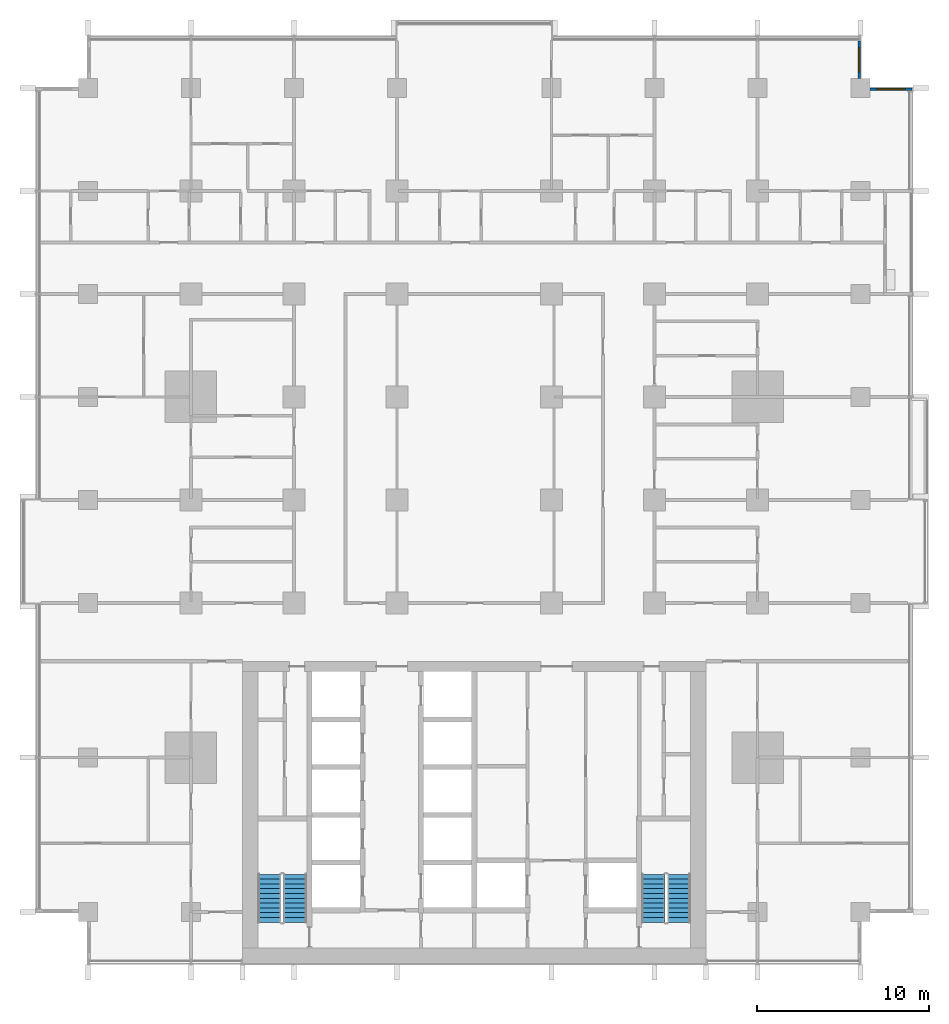
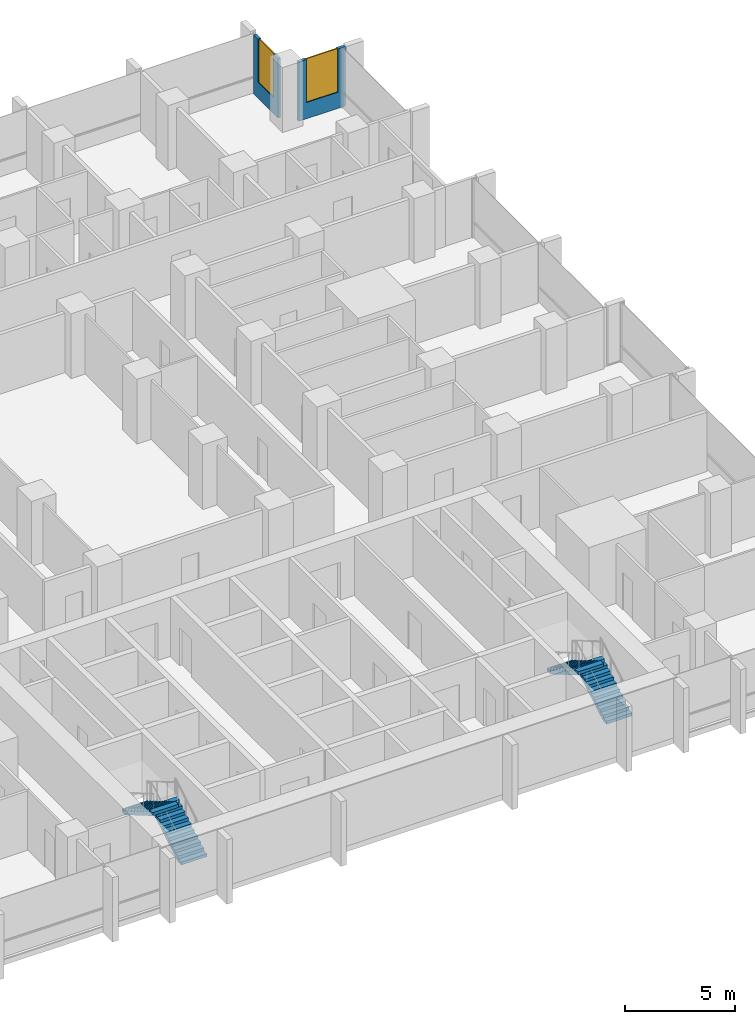
# One storey, part 13 of 18: 4 stair flights, 2 walls, 2 windows, 2 openings, 2 elements without a shape of their own.
"""IFC4 building model written with IfcOpenShell, lengths in metres."""

from ifc_helpers import new_model, si_unit, direction, frame, frame_2d, origin, place, context, subcontext, project, spatial, polyline, rectangle, outline, extrude, material, layer, layer_set, type_object, element, fill, aggregate, save


model = new_model("IFC4")

# Units and contexts
model_context = context("Model", 3, precision=1e-05, world=origin(), true_north=direction((0.0, 1.0)))
body_context = subcontext(model_context, "Body", "Model", "MODEL_VIEW")
ifc_project = project(units=[si_unit("LENGTHUNIT", "METRE"), si_unit("AREAUNIT", "SQUARE_METRE"), si_unit("VOLUMEUNIT", "CUBIC_METRE"), si_unit("PLANEANGLEUNIT", "RADIAN"), si_unit("MASSUNIT", "GRAM", prefix="KILO")], contexts=[model_context])

# Site, building, storey
site_placement = place(None, origin())
site = spatial("IfcSite", under=ifc_project, at=site_placement, CompositionType="ELEMENT")
building_placement = place(site_placement, origin())
building = spatial("IfcBuilding", under=site, at=building_placement, Name="Finial Court Residences", CompositionType="ELEMENT")
storey_placement = place(building_placement, frame((0.0, 0.0, 54.10009765625)))
storey = spatial("IfcBuildingStorey", under=building, at=storey_placement, Name="L12", CompositionType="ELEMENT", Elevation=54.10009765625)

# Wall, opening, window
ifc_material_1 = material(Name="Natural limestone", Category="masonry")
ifc_layer = layer(ifc_material_1, 0.14990234375)
ifc_layer_set = layer_set([ifc_layer], Name="Limestone clad wall 150")
wall_type = type_object("IfcWallType", Name="Limestone clad wall 150", PredefinedType="SOLIDWALL", material=ifc_layer_set)
wall_1_placement = place(storey_placement, frame((22.425048828125, 28.25, 0.0), z_axis=(0.0, 0.0, 1.0), x_axis=(0.0, -1.0, 0.0)))
wall_1 = element("IfcWall", 1, at=wall_1_placement, inside=storey, type_object=wall_type, Name="E-L12-NWE19", PredefinedType="SOLIDWALL", context=body_context, shape_type="SweptSolid", body=[
    extrude(rectangle(XDim=2.199951171875, YDim=0.14990234375, at=frame_2d((1.10009765625, 0.0))), origin(), (0.0, 0.0, 1.0), 3.2998046875),
])
opening_1_placement = place(wall_1_placement, frame((0.39990234375, 0.0, 0.89990234375)))
opening_1 = element("IfcOpeningElement", 2, at=opening_1_placement, cuts=wall_1, Name="Opening WE12-07", PredefinedType="OPENING", context=body_context, shape_type="SweptSolid", body=[
    extrude(rectangle(XDim=1.39990234375, YDim=2.39990234375, at=frame_2d((0.699951171875, 1.199951171875))), frame((0.0, 0.0849609375, 0.0), z_axis=(0.0, -1.0, 0.0), x_axis=(1.0, 0.0, 0.0)), (0.0, 0.0, 1.0), 0.169921875),
])
ifc_material_2 = material(Name="Clear low-e glass", Category="glass")
window_type_1 = type_object("IfcWindowType", Name="Corner window 1400 x 2400", PartitioningType="SINGLE_PANEL", PredefinedType="WINDOW", material=ifc_material_2)
window_1_placement = place(opening_1_placement, origin())
window_1 = element("IfcWindow", 3, at=window_1_placement, inside=storey, type_object=window_type_1, Name="E-L12-NWE19-W1", OverallHeight=2.39990234375, OverallWidth=1.39990234375, PartitioningType="SINGLE_PANEL", PredefinedType="WINDOW", context=body_context, shape_type="SweptSolid", body=[
    extrude(rectangle(XDim=1.39990234375, YDim=2.39990234375, at=frame_2d((0.699951171875, 1.199951171875))), frame((0.0, 0.030029296875, 0.0), z_axis=(0.0, -1.0, 0.0), x_axis=(1.0, 0.0, 0.0)), (0.0, 0.0, 1.0), 0.06005859375),
])
fill(opening_1, window_1)

wall_2_placement = place(storey_placement, frame((23.050048828125, 25.425048828125, 0.0), z_axis=(0.0, 0.0, 1.0), x_axis=(1.0, 0.0, 0.0)))
wall_2 = element("IfcWall", 4, at=wall_2_placement, inside=storey, type_object=wall_type, Name="E-L12-NWN20", PredefinedType="SOLIDWALL", context=body_context, shape_type="SweptSolid", body=[
    extrude(rectangle(XDim=2.449951171875, YDim=0.14990234375, at=frame_2d((1.22509765625, 0.0))), origin(), (0.0, 0.0, 1.0), 3.2998046875),
])
opening_2_placement = place(wall_2_placement, frame((0.39990234375, 0.0, 0.89990234375)))
opening_2 = element("IfcOpeningElement", 5, at=opening_2_placement, cuts=wall_2, Name="Opening WE12-08", PredefinedType="OPENING", context=body_context, shape_type="SweptSolid", body=[
    extrude(rectangle(XDim=1.64990234375, YDim=2.39990234375, at=frame_2d((0.824951171875, 1.199951171875))), frame((0.0, 0.0849609375, 0.0), z_axis=(0.0, -1.0, 0.0), x_axis=(1.0, 0.0, 0.0)), (0.0, 0.0, 1.0), 0.169921875),
])
window_type_2 = type_object("IfcWindowType", Name="Corner window 1650 x 2400", PartitioningType="SINGLE_PANEL", PredefinedType="WINDOW", material=ifc_material_2)
window_2_placement = place(opening_2_placement, origin())
window_2 = element("IfcWindow", 6, at=window_2_placement, inside=storey, type_object=window_type_2, Name="E-L12-NWN20-W1", OverallHeight=2.39990234375, OverallWidth=1.64990234375, PartitioningType="SINGLE_PANEL", PredefinedType="WINDOW", context=body_context, shape_type="SweptSolid", body=[
    extrude(rectangle(XDim=1.64990234375, YDim=2.39990234375, at=frame_2d((0.824951171875, 1.199951171875))), frame((0.0, 0.030029296875, 0.0), z_axis=(0.0, -1.0, 0.0), x_axis=(1.0, 0.0, 0.0)), (0.0, 0.0, 1.0), 0.06005859375),
])
fill(opening_2, window_2)

# Stair, stair flights
ifc_material_3 = material(Name="Concrete C50/60", Category="concrete")
stair_type = type_object("IfcStairType", Name="Exit stair 22 risers of 163.6 mm", PredefinedType="HALF_TURN_STAIR", material=ifc_material_3)
stair_1_placement = place(storey_placement, origin())
stair_1 = element("IfcStair", 7, at=stair_1_placement, inside=storey, type_object=stair_type, Name="L12 Exit stair ST-1", PredefinedType="HALF_TURN_STAIR")
stair_flight_type = type_object("IfcStairFlightType", Name="Exit stair flight", PredefinedType="STRAIGHT", material=ifc_material_3)
stair_flight_1_placement = place(storey_placement, frame((-10.425048828125, -23.10009765625, 0.0), z_axis=(0.0, 0.0, 1.0), x_axis=(0.0, 1.0, 0.0)))
stair_flight_1 = element("IfcStairFlight", 8, at=stair_flight_1_placement, type_object=stair_flight_type, Name="ST-1 flight 1", NumberOfRisers=11, NumberOfTreads=10, PredefinedType="STRAIGHT", RiserHeight=0.163636364, TreadLength=0.28, context=body_context, shape_type="SweptSolid", body=[
    extrude(outline(polyline([(0.0, 0.0), (0.0, 0.16357421875), (0.280029296875, 0.16357421875), (0.280029296875, 0.327392578125), (0.56005859375, 0.327392578125), (0.56005859375, 0.490966796875), (0.840087890625, 0.490966796875), (0.840087890625, 0.654541015625), (1.1201171875, 0.654541015625), (1.1201171875, 0.818115234375), (1.39990234375, 0.818115234375), (1.39990234375, 0.98193359375), (1.679931640625, 0.98193359375), (1.679931640625, 1.1455078125), (1.9599609375, 1.1455078125), (1.9599609375, 1.30908203125), (2.239990234375, 1.30908203125), (2.239990234375, 1.47265625), (2.52001953125, 1.47265625), (2.52001953125, 1.636474609375), (2.800048828125, 1.636474609375), (2.800048828125, 1.800048828125), (2.800048828125, 1.462646484375), (0.297119140625, 0.0), (0.0, 0.0)])), frame((0.0, 0.675048828125, 0.0), z_axis=(0.0, -1.0, 0.0), x_axis=(1.0, 0.0, 0.0)), (0.0, 0.0, 1.0), 1.35009765625),
])
stair_flight_2_placement = place(storey_placement, frame((-11.925048828125, -20.300048828125, 1.7998046875), z_axis=(0.0, 0.0, 1.0), x_axis=(0.0, -1.0, 0.0)))
stair_flight_2 = element("IfcStairFlight", 9, at=stair_flight_2_placement, type_object=stair_flight_type, Name="ST-1 flight 2", NumberOfRisers=11, NumberOfTreads=10, PredefinedType="STRAIGHT", RiserHeight=0.163636364, TreadLength=0.28, context=body_context, shape_type="SweptSolid", body=[
    extrude(outline(polyline([(0.0, 0.0), (0.0, 0.16357421875), (0.280029296875, 0.16357421875), (0.280029296875, 0.327392578125), (0.56005859375, 0.327392578125), (0.56005859375, 0.490966796875), (0.840087890625, 0.490966796875), (0.840087890625, 0.654541015625), (1.1201171875, 0.654541015625), (1.1201171875, 0.818115234375), (1.39990234375, 0.818115234375), (1.39990234375, 0.98193359375), (1.679931640625, 0.98193359375), (1.679931640625, 1.1455078125), (1.9599609375, 1.1455078125), (1.9599609375, 1.30908203125), (2.239990234375, 1.30908203125), (2.239990234375, 1.47265625), (2.52001953125, 1.47265625), (2.52001953125, 1.636474609375), (2.800048828125, 1.636474609375), (2.800048828125, 1.800048828125), (2.800048828125, 1.462646484375), (0.297119140625, 0.0), (0.0, 0.0)])), frame((0.0, 0.675048828125, 0.0), z_axis=(0.0, -1.0, 0.0), x_axis=(1.0, 0.0, 0.0)), (0.0, 0.0, 1.0), 1.35009765625),
])
aggregate(stair_1, [stair_flight_1, stair_flight_2])

stair_2_placement = place(storey_placement, origin())
stair_2 = element("IfcStair", 10, at=stair_2_placement, inside=storey, type_object=stair_type, Name="L12 Exit stair ST-2", PredefinedType="HALF_TURN_STAIR")
stair_flight_3_placement = place(storey_placement, frame((11.925048828125, -23.10009765625, 0.0), z_axis=(0.0, 0.0, 1.0), x_axis=(0.0, 1.0, 0.0)))
stair_flight_3 = element("IfcStairFlight", 11, at=stair_flight_3_placement, type_object=stair_flight_type, Name="ST-2 flight 1", NumberOfRisers=11, NumberOfTreads=10, PredefinedType="STRAIGHT", RiserHeight=0.163636364, TreadLength=0.28, context=body_context, shape_type="SweptSolid", body=[
    extrude(outline(polyline([(0.0, 0.0), (0.0, 0.16357421875), (0.280029296875, 0.16357421875), (0.280029296875, 0.327392578125), (0.56005859375, 0.327392578125), (0.56005859375, 0.490966796875), (0.840087890625, 0.490966796875), (0.840087890625, 0.654541015625), (1.1201171875, 0.654541015625), (1.1201171875, 0.818115234375), (1.39990234375, 0.818115234375), (1.39990234375, 0.98193359375), (1.679931640625, 0.98193359375), (1.679931640625, 1.1455078125), (1.9599609375, 1.1455078125), (1.9599609375, 1.30908203125), (2.239990234375, 1.30908203125), (2.239990234375, 1.47265625), (2.52001953125, 1.47265625), (2.52001953125, 1.636474609375), (2.800048828125, 1.636474609375), (2.800048828125, 1.800048828125), (2.800048828125, 1.462646484375), (0.297119140625, 0.0), (0.0, 0.0)])), frame((0.0, 0.675048828125, 0.0), z_axis=(0.0, -1.0, 0.0), x_axis=(1.0, 0.0, 0.0)), (0.0, 0.0, 1.0), 1.35009765625),
])
stair_flight_4_placement = place(storey_placement, frame((10.425048828125, -20.300048828125, 1.7998046875), z_axis=(0.0, 0.0, 1.0), x_axis=(0.0, -1.0, 0.0)))
stair_flight_4 = element("IfcStairFlight", 12, at=stair_flight_4_placement, type_object=stair_flight_type, Name="ST-2 flight 2", NumberOfRisers=11, NumberOfTreads=10, PredefinedType="STRAIGHT", RiserHeight=0.163636364, TreadLength=0.28, context=body_context, shape_type="SweptSolid", body=[
    extrude(outline(polyline([(0.0, 0.0), (0.0, 0.16357421875), (0.280029296875, 0.16357421875), (0.280029296875, 0.327392578125), (0.56005859375, 0.327392578125), (0.56005859375, 0.490966796875), (0.840087890625, 0.490966796875), (0.840087890625, 0.654541015625), (1.1201171875, 0.654541015625), (1.1201171875, 0.818115234375), (1.39990234375, 0.818115234375), (1.39990234375, 0.98193359375), (1.679931640625, 0.98193359375), (1.679931640625, 1.1455078125), (1.9599609375, 1.1455078125), (1.9599609375, 1.30908203125), (2.239990234375, 1.30908203125), (2.239990234375, 1.47265625), (2.52001953125, 1.47265625), (2.52001953125, 1.636474609375), (2.800048828125, 1.636474609375), (2.800048828125, 1.800048828125), (2.800048828125, 1.462646484375), (0.297119140625, 0.0), (0.0, 0.0)])), frame((0.0, 0.675048828125, 0.0), z_axis=(0.0, -1.0, 0.0), x_axis=(1.0, 0.0, 0.0)), (0.0, 0.0, 1.0), 1.35009765625),
])
aggregate(stair_2, [stair_flight_3, stair_flight_4])

save(model, "model.ifc")
